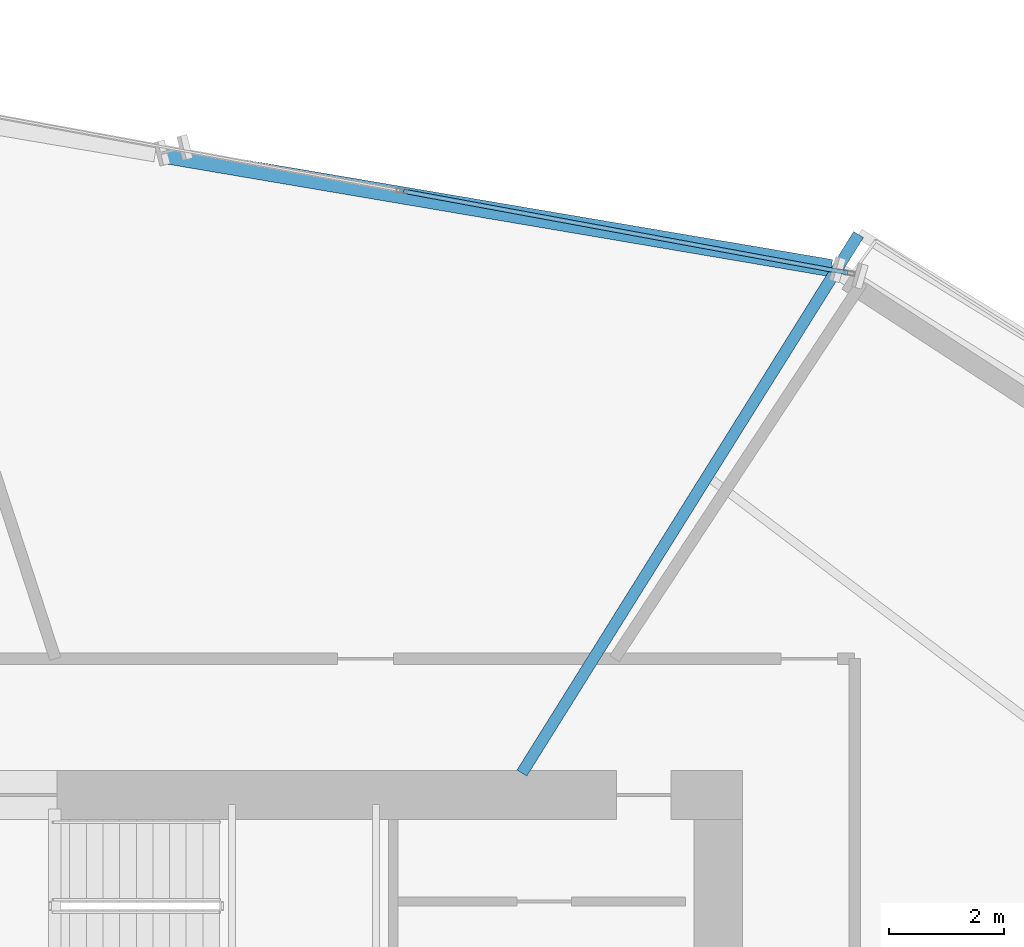
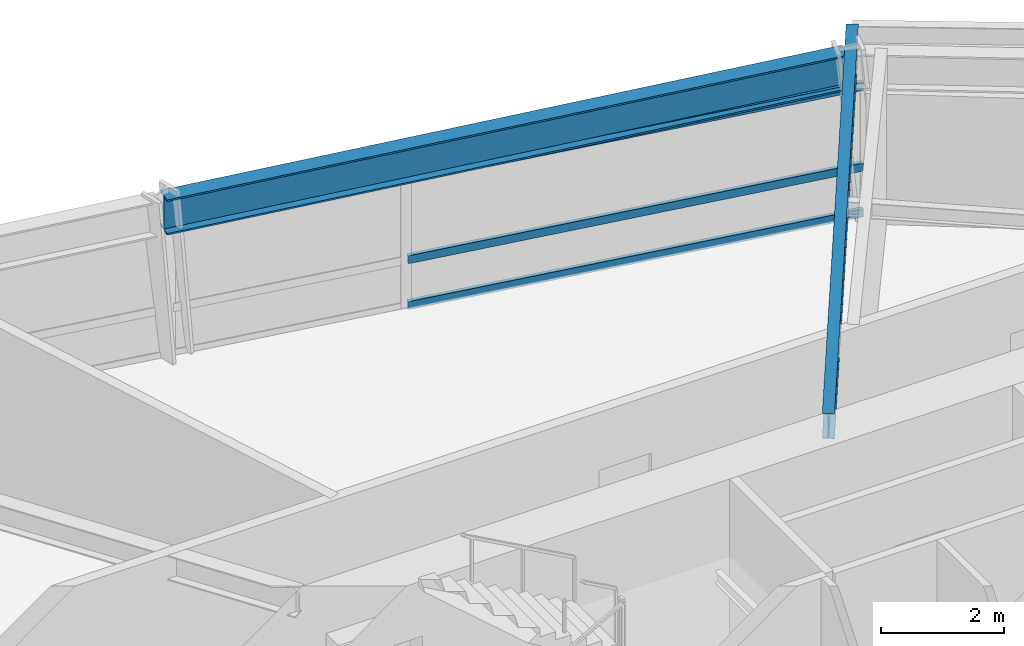
# One storey, part 9 of 20: 3 members, 2 beams, 1 element without a shape of its own.
"""IFC4 building model written with IfcOpenShell, lengths in metres."""

from ifc_helpers import new_model, si_unit, direction, frame, origin, origin_2d, place, context, subcontext, project, spatial, hollow_rectangle, i_section, extrude, source, transform, mapped, material, material_profile, profile_set, type_object, element, aggregate, save


model = new_model("IFC4")

# Units and contexts
model_context = context("Model", 3, precision=1e-05, world=origin(), true_north=direction((0.0, 1.0)))
body_context = subcontext(model_context, "Body", "Model", "MODEL_VIEW")
ifc_project = project(units=[si_unit("LENGTHUNIT", "METRE"), si_unit("AREAUNIT", "SQUARE_METRE"), si_unit("VOLUMEUNIT", "CUBIC_METRE"), si_unit("PLANEANGLEUNIT", "RADIAN"), si_unit("MASSUNIT", "GRAM", prefix="KILO")], contexts=[model_context])

# Site, building, storey
site_placement = place(None, origin())
site = spatial("IfcSite", under=ifc_project, at=site_placement, CompositionType="ELEMENT")
building_placement = place(site_placement, origin())
building = spatial("IfcBuilding", under=site, at=building_placement, Name="Olszyna Solenne Hotel", CompositionType="ELEMENT")
storey_placement = place(building_placement, frame((0.0, 0.0, 43.5)))
storey = spatial("IfcBuildingStorey", under=building, at=storey_placement, Name="L10", CompositionType="ELEMENT", Elevation=43.5)

# Beams
ifc_material_1 = material(Name="Steel S355J2", Category="steel")
ifc_material_profile_1 = material_profile(ifc_material_1, i_section(OverallWidth=0.300048828125, OverallDepth=0.699951171875, WebThickness=0.01708984375, FlangeThickness=0.031982421875, at=origin_2d()), Name="HEB 700", Category="load-bearing")
ifc_profile_set_1 = profile_set([ifc_material_profile_1], Name="Steel S355J2")
beam_type_1 = type_object("IfcBeamType", Name="BM-S1", PredefinedType="BEAM", material=ifc_profile_set_1)
shared_shape_1 = source(origin(), body_context, "Body", "SweptSolid", [
    extrude(i_section(OverallWidth=0.300048828125, OverallDepth=0.699951171875, WebThickness=0.01708984375, FlangeThickness=0.031982421875, at=origin_2d()), origin(), (0.0, 0.0, 1.0), 11.82958984375),
])
beam_1_placement = place(storey_placement, frame((48.291748046875, 43.309326171875, 2.949951171875), z_axis=(-0.985900379494, 0.167333325175, 0.0), x_axis=(-0.167333325175, -0.985900379494, 0.0)))
element("IfcBeam", 1, at=beam_1_placement, inside=storey, type_object=beam_type_1, Name="Perimeter spandrel beam BM-S1 B-L10-0320", PredefinedType="BEAM", context=body_context, shape_type="MappedRepresentation", body=[
    mapped(shared_shape_1, transform((0.0, 0.0, 0.0), x_axis=(1.0, 0.0, 0.0), y_axis=(0.0, 1.0, 0.0), z_axis=(0.0, 0.0, 1.0), scale=1.0)),
])
ifc_material_profile_2 = material_profile(ifc_material_1, i_section(OverallWidth=0.199951171875, OverallDepth=0.5, WebThickness=0.01025390625, FlangeThickness=0.01611328125, at=origin_2d()), Name="IPE 500", Category="load-bearing")
ifc_profile_set_2 = profile_set([ifc_material_profile_2], Name="Steel S355J2")
beam_type_2 = type_object("IfcBeamType", Name="BM-F3", PredefinedType="BEAM", material=ifc_profile_set_2)
shared_shape_2 = source(origin(), body_context, "Body", "SweptSolid", [
    extrude(i_section(OverallWidth=0.199951171875, OverallDepth=0.5, WebThickness=0.01025390625, FlangeThickness=0.01611328125, at=origin_2d()), origin(), (0.0, 0.0, 1.0), 11.069091796875),
])
beam_2_placement = place(storey_placement, frame((48.77001953125, 43.892822265625, 3.050048828125), z_axis=(-0.530185289125, -0.847881807327, 0.0), x_axis=(0.847881807327, -0.530185289125, 0.0)))
element("IfcBeam", 2, at=beam_2_placement, inside=storey, type_object=beam_type_2, Name="Radial floor girder BM-F3 B-L10-0332", PredefinedType="BEAM", context=body_context, shape_type="MappedRepresentation", body=[
    mapped(shared_shape_2, transform((0.0, 0.0, 0.0), x_axis=(1.0, 0.0, 0.0), y_axis=(0.0, 1.0, 0.0), z_axis=(0.0, 0.0, 1.0), scale=1.0)),
])

# Curtain wall, members
ifc_material_2 = material(Name="Anodised bronze aluminium", Category="aluminium")
curtain_wall_type = type_object("IfcCurtainWallType", Name="CW-SYS-2", PredefinedType="NOTDEFINED", material=ifc_material_2)
curtain_wall_placement = place(storey_placement, origin())
curtain_wall = element("IfcCurtainWall", 3, at=curtain_wall_placement, inside=storey, type_object=curtain_wall_type, Name="Unitised curtain wall CW-SYS-2 CW-L10-02", PredefinedType="NOTDEFINED")
ifc_material_profile_3 = material_profile(ifc_material_2, hollow_rectangle(XDim=0.074951171875, YDim=0.159912109375, WallThickness=0.00390625, at=origin_2d()), Name="TRAN 160x75x4", Category="load-bearing")
ifc_profile_set_3 = profile_set([ifc_material_profile_3], Name="Anodised bronze aluminium")
member_type = type_object("IfcMemberType", Name="CW-T1", PredefinedType="USERDEFINED", material=ifc_profile_set_3)
shared_shape_3 = source(origin(), body_context, "Body", "SweptSolid", [
    extrude(hollow_rectangle(XDim=0.074951171875, YDim=0.159912109375, WallThickness=0.00390625, at=origin_2d()), origin(), (0.0, 0.0, 1.0), 7.865234375),
])
member_1_placement = place(storey_placement, frame((40.84326171875, 44.64794921875, 0.03759765625), z_axis=(0.983494785914, -0.180936469735, 0.0), x_axis=(0.180936469735, 0.983494785914, 0.0)))
member_1 = element("IfcMember", 4, at=member_1_placement, type_object=member_type, Name="Curtain-wall transom CW-T1 CT-L10-02-07", ObjectType="TRANSOM", PredefinedType="USERDEFINED", context=body_context, shape_type="MappedRepresentation", body=[
    mapped(shared_shape_3, transform((0.0, 0.0, 0.0), x_axis=(1.0, 0.0, 0.0), y_axis=(0.0, 1.0, 0.0), z_axis=(0.0, 0.0, 1.0), scale=1.0)),
])
member_2_placement = place(storey_placement, frame((40.84326171875, 44.64794921875, 0.949951171875), z_axis=(0.983494785914, -0.180936469735, 0.0), x_axis=(0.180936469735, 0.983494785914, 0.0)))
member_2 = element("IfcMember", 5, at=member_2_placement, type_object=member_type, Name="Curtain-wall transom CW-T1 CT-L10-02-08", ObjectType="TRANSOM", PredefinedType="USERDEFINED", context=body_context, shape_type="MappedRepresentation", body=[
    mapped(shared_shape_3, transform((0.0, 0.0, 0.0), x_axis=(1.0, 0.0, 0.0), y_axis=(0.0, 1.0, 0.0), z_axis=(0.0, 0.0, 1.0), scale=1.0)),
])
member_3_placement = place(storey_placement, frame((40.84326171875, 44.64794921875, 2.554443359375), z_axis=(0.983494785914, -0.180936469735, 0.0), x_axis=(0.180936469735, 0.983494785914, 0.0)))
member_3 = element("IfcMember", 6, at=member_3_placement, type_object=member_type, Name="Curtain-wall transom CW-T1 CT-L10-02-09", ObjectType="TRANSOM", PredefinedType="USERDEFINED", context=body_context, shape_type="MappedRepresentation", body=[
    mapped(shared_shape_3, transform((0.0, 0.0, 0.0), x_axis=(1.0, 0.0, 0.0), y_axis=(0.0, 1.0, 0.0), z_axis=(0.0, 0.0, 1.0), scale=1.0)),
])
aggregate(curtain_wall, [member_1, member_2, member_3])

save(model, "model.ifc")
